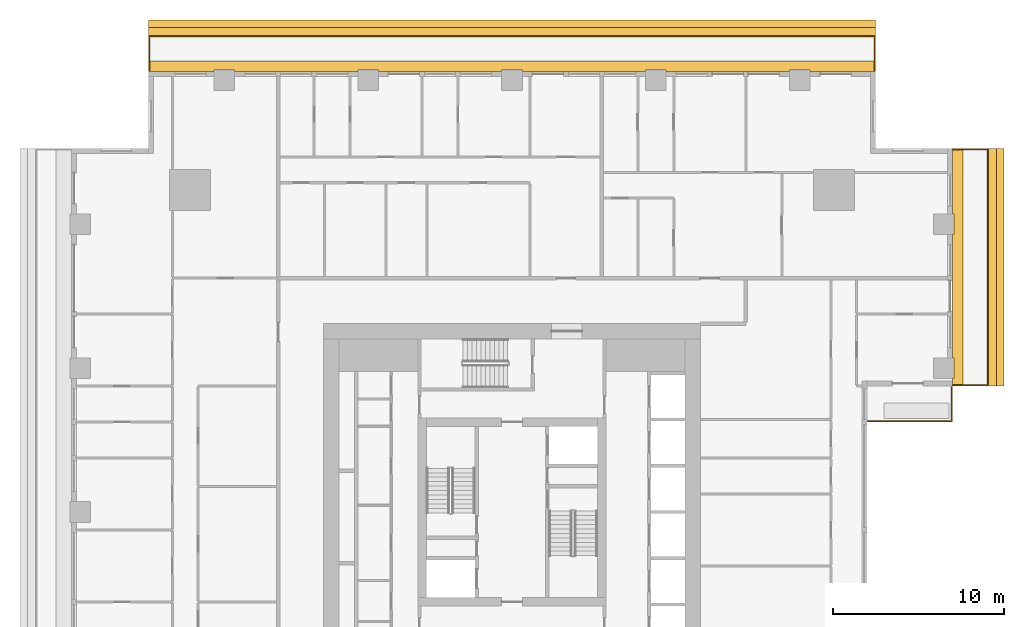
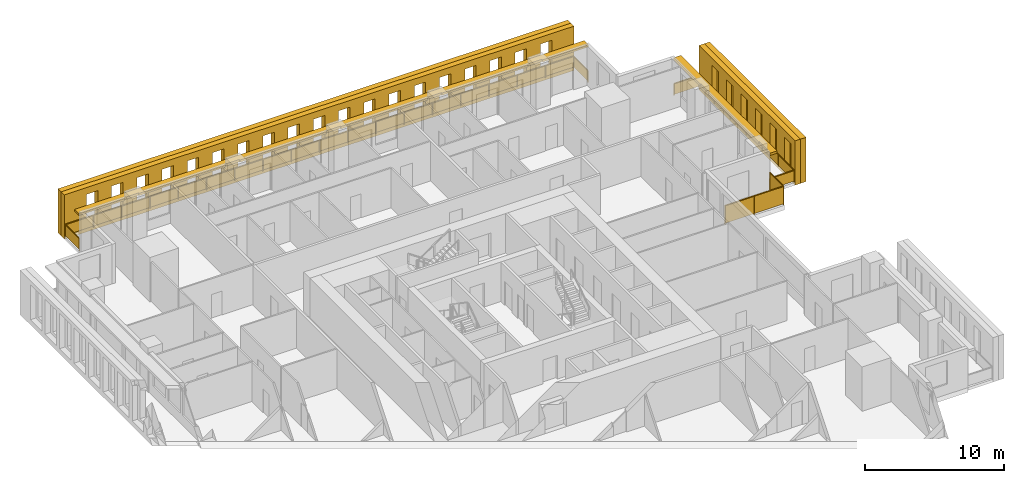
# One storey, part 16 of 16: 6 shading devices, 3 railings.
"""IFC4 building model written with IfcOpenShell, lengths in metres."""

from ifc_helpers import new_model, si_unit, direction, frame, origin, origin_2d, place, context, subcontext, project, spatial, polyline, rectangle, outline, extrude, material, layer, layer_set, type_object, element, save


model = new_model("IFC4")

# Units and contexts
model_context = context("Model", 3, precision=1e-05, world=origin(), true_north=direction((0.0, 1.0)))
body_context = subcontext(model_context, "Body", "Model", "MODEL_VIEW")
ifc_project = project(units=[si_unit("LENGTHUNIT", "METRE"), si_unit("AREAUNIT", "SQUARE_METRE"), si_unit("VOLUMEUNIT", "CUBIC_METRE"), si_unit("PLANEANGLEUNIT", "RADIAN"), si_unit("MASSUNIT", "GRAM", prefix="KILO")], contexts=[model_context])

# Site, building, storey
site_placement = place(None, origin())
site = spatial("IfcSite", under=ifc_project, at=site_placement, CompositionType="ELEMENT")
building_placement = place(site_placement, origin())
building = spatial("IfcBuilding", under=site, at=building_placement, Name="Khepri Terraces", CompositionType="ELEMENT")
storey_placement = place(building_placement, frame((0.0, 0.0, 204.0)))
storey = spatial("IfcBuildingStorey", under=building, at=storey_placement, Name="L48", CompositionType="ELEMENT", Elevation=204.0)

# Railings
ifc_material_1 = material(Name="Stainless steel grade 316", Category="steel")
railing_type_1 = type_object("IfcRailingType", Name="GRD-BAL-1100", PredefinedType="GUARDRAIL", material=ifc_material_1)
railing_1_placement = place(storey_placement, frame((25.719970703125, 7.39990234375, 0.0)))
element("IfcRailing", 1, at=railing_1_placement, inside=storey, type_object=railing_type_1, Name="Balcony guard L48 E", PredefinedType="GUARDRAIL", context=body_context, shape_type="SweptSolid", body=[
    extrude(rectangle(XDim=0.050048828125, YDim=0.06005859375, at=origin_2d()), frame((0.0, 0.0, 1.070068359375), z_axis=(1.0, 0.0, 0.0), x_axis=(0.0, 1.0, 0.0)), (0.0, 0.0, 1.0), 2.050048828125),
    extrude(rectangle(XDim=2.0, YDim=0.011962890625, at=origin_2d()), frame((1.02490234375, 0.0, 0.10009765625), z_axis=(0.0, 0.0, 1.0), x_axis=(1.0, 0.0, 0.0)), (0.0, 0.0, 1.0), 0.93994140625),
    extrude(rectangle(XDim=0.050048828125, YDim=0.06005859375, at=origin_2d()), frame((2.050048828125, 0.0, 1.070068359375), z_axis=(0.0, 1.0, 0.0), x_axis=(-1.0, 0.0, 0.0)), (0.0, 0.0, 1.0), 13.77001953125),
    extrude(rectangle(XDim=2.244873046875, YDim=0.011962890625, at=origin_2d()), frame((2.050048828125, 1.1474609375, 0.10009765625), z_axis=(0.0, 0.0, 1.0), x_axis=(0.0, 1.0, 0.0)), (0.0, 0.0, 1.0), 0.93994140625),
    extrude(rectangle(XDim=2.244873046875, YDim=0.011962890625, at=origin_2d()), frame((2.050048828125, 3.4423828125, 0.10009765625), z_axis=(0.0, 0.0, 1.0), x_axis=(0.0, 1.0, 0.0)), (0.0, 0.0, 1.0), 0.93994140625),
    extrude(rectangle(XDim=2.244873046875, YDim=0.011962890625, at=origin_2d()), frame((2.050048828125, 5.737548828125, 0.10009765625), z_axis=(0.0, 0.0, 1.0), x_axis=(0.0, 1.0, 0.0)), (0.0, 0.0, 1.0), 0.93994140625),
    extrude(rectangle(XDim=2.244873046875, YDim=0.011962890625, at=origin_2d()), frame((2.050048828125, 8.032470703125, 0.10009765625), z_axis=(0.0, 0.0, 1.0), x_axis=(0.0, 1.0, 0.0)), (0.0, 0.0, 1.0), 0.93994140625),
    extrude(rectangle(XDim=2.244873046875, YDim=0.011962890625, at=origin_2d()), frame((2.050048828125, 10.32763671875, 0.10009765625), z_axis=(0.0, 0.0, 1.0), x_axis=(0.0, 1.0, 0.0)), (0.0, 0.0, 1.0), 0.93994140625),
    extrude(rectangle(XDim=2.244873046875, YDim=0.011962890625, at=origin_2d()), frame((2.050048828125, 12.62255859375, 0.10009765625), z_axis=(0.0, 0.0, 1.0), x_axis=(0.0, 1.0, 0.0)), (0.0, 0.0, 1.0), 0.93994140625),
    extrude(rectangle(XDim=0.050048828125, YDim=0.06005859375, at=origin_2d()), frame((2.050048828125, 13.77001953125, 1.070068359375), z_axis=(-1.0, 0.0, 0.0), x_axis=(0.0, -1.0, 0.0)), (0.0, 0.0, 1.0), 2.050048828125),
    extrude(rectangle(XDim=2.0, YDim=0.011962890625, at=origin_2d()), frame((1.02490234375, 13.77001953125, 0.10009765625), z_axis=(0.0, 0.0, 1.0), x_axis=(-1.0, 0.0, 0.0)), (0.0, 0.0, 1.0), 0.93994140625),
    extrude(rectangle(XDim=0.050048828125, YDim=0.050048828125, at=origin_2d()), origin(), (0.0, 0.0, 1.0), 1.0400390625),
    extrude(rectangle(XDim=0.050048828125, YDim=0.050048828125, at=origin_2d()), frame((2.050048828125, 0.0, 0.0)), (0.0, 0.0, 1.0), 1.0400390625),
    extrude(rectangle(XDim=0.050048828125, YDim=0.050048828125, at=origin_2d()), frame((2.050048828125, 2.294921875, 0.0)), (0.0, 0.0, 1.0), 1.0400390625),
    extrude(rectangle(XDim=0.050048828125, YDim=0.050048828125, at=origin_2d()), frame((2.050048828125, 4.590087890625, 0.0)), (0.0, 0.0, 1.0), 1.0400390625),
    extrude(rectangle(XDim=0.050048828125, YDim=0.050048828125, at=origin_2d()), frame((2.050048828125, 6.885009765625, 0.0)), (0.0, 0.0, 1.0), 1.0400390625),
    extrude(rectangle(XDim=0.050048828125, YDim=0.050048828125, at=origin_2d()), frame((2.050048828125, 9.179931640625, 0.0)), (0.0, 0.0, 1.0), 1.0400390625),
    extrude(rectangle(XDim=0.050048828125, YDim=0.050048828125, at=origin_2d()), frame((2.050048828125, 11.47509765625, 0.0)), (0.0, 0.0, 1.0), 1.0400390625),
    extrude(rectangle(XDim=0.050048828125, YDim=0.050048828125, at=origin_2d()), frame((2.050048828125, 13.77001953125, 0.0)), (0.0, 0.0, 1.0), 1.0400390625),
    extrude(rectangle(XDim=0.050048828125, YDim=0.050048828125, at=origin_2d()), frame((0.0, 13.77001953125, 0.0)), (0.0, 0.0, 1.0), 1.0400390625),
])
railing_2_placement = place(storey_placement, frame((21.169921875, 25.719970703125, 0.0)))
element("IfcRailing", 2, at=railing_2_placement, inside=storey, type_object=railing_type_1, Name="Balcony guard L48 N", PredefinedType="GUARDRAIL", context=body_context, shape_type="SweptSolid", body=[
    extrude(rectangle(XDim=0.050048828125, YDim=0.06005859375, at=origin_2d()), frame((0.0, 0.0, 1.070068359375), z_axis=(0.0, 1.0, 0.0), x_axis=(-1.0, 0.0, 0.0)), (0.0, 0.0, 1.0), 2.050048828125),
    extrude(rectangle(XDim=2.0, YDim=0.011962890625, at=origin_2d()), frame((0.0, 1.02490234375, 0.10009765625), z_axis=(0.0, 0.0, 1.0), x_axis=(0.0, 1.0, 0.0)), (0.0, 0.0, 1.0), 0.93994140625),
    extrude(rectangle(XDim=0.050048828125, YDim=0.06005859375, at=origin_2d()), frame((0.0, 2.050048828125, 1.070068359375), z_axis=(-1.0, 0.0, 0.0), x_axis=(0.0, -1.0, 0.0)), (0.0, 0.0, 1.0), 42.33984375),
    extrude(rectangle(XDim=2.30224609375, YDim=0.011962890625, at=origin_2d()), frame((-1.176025390625, 2.050048828125, 0.10009765625), z_axis=(0.0, 0.0, 1.0), x_axis=(-1.0, 0.0, 0.0)), (0.0, 0.0, 1.0), 0.93994140625),
    extrude(rectangle(XDim=2.30224609375, YDim=0.011962890625, at=origin_2d()), frame((-3.5283203125, 2.050048828125, 0.10009765625), z_axis=(0.0, 0.0, 1.0), x_axis=(-1.0, 0.0, 0.0)), (0.0, 0.0, 1.0), 0.93994140625),
    extrude(rectangle(XDim=2.30224609375, YDim=0.011962890625, at=origin_2d()), frame((-5.880615234375, 2.050048828125, 0.10009765625), z_axis=(0.0, 0.0, 1.0), x_axis=(-1.0, 0.0, 0.0)), (0.0, 0.0, 1.0), 0.93994140625),
    extrude(rectangle(XDim=2.30224609375, YDim=0.011962890625, at=origin_2d()), frame((-8.232666015625, 2.050048828125, 0.10009765625), z_axis=(0.0, 0.0, 1.0), x_axis=(-1.0, 0.0, 0.0)), (0.0, 0.0, 1.0), 0.93994140625),
    extrude(rectangle(XDim=2.30224609375, YDim=0.011962890625, at=origin_2d()), frame((-10.5849609375, 2.050048828125, 0.10009765625), z_axis=(0.0, 0.0, 1.0), x_axis=(-1.0, 0.0, 0.0)), (0.0, 0.0, 1.0), 0.93994140625),
    extrude(rectangle(XDim=2.30224609375, YDim=0.011962890625, at=origin_2d()), frame((-12.937255859375, 2.050048828125, 0.10009765625), z_axis=(0.0, 0.0, 1.0), x_axis=(-1.0, 0.0, 0.0)), (0.0, 0.0, 1.0), 0.93994140625),
    extrude(rectangle(XDim=2.30224609375, YDim=0.011962890625, at=origin_2d()), frame((-15.289306640625, 2.050048828125, 0.10009765625), z_axis=(0.0, 0.0, 1.0), x_axis=(-1.0, 0.0, 0.0)), (0.0, 0.0, 1.0), 0.93994140625),
    extrude(rectangle(XDim=2.30224609375, YDim=0.011962890625, at=origin_2d()), frame((-17.6416015625, 2.050048828125, 0.10009765625), z_axis=(0.0, 0.0, 1.0), x_axis=(-1.0, 0.0, 0.0)), (0.0, 0.0, 1.0), 0.93994140625),
    extrude(rectangle(XDim=2.30224609375, YDim=0.011962890625, at=origin_2d()), frame((-19.993896484375, 2.050048828125, 0.10009765625), z_axis=(0.0, 0.0, 1.0), x_axis=(-1.0, 0.0, 0.0)), (0.0, 0.0, 1.0), 0.93994140625),
    extrude(rectangle(XDim=2.30224609375, YDim=0.011962890625, at=origin_2d()), frame((-22.345947265625, 2.050048828125, 0.10009765625), z_axis=(0.0, 0.0, 1.0), x_axis=(-1.0, 0.0, 0.0)), (0.0, 0.0, 1.0), 0.93994140625),
    extrude(rectangle(XDim=2.30224609375, YDim=0.011962890625, at=origin_2d()), frame((-24.6982421875, 2.050048828125, 0.10009765625), z_axis=(0.0, 0.0, 1.0), x_axis=(-1.0, 0.0, 0.0)), (0.0, 0.0, 1.0), 0.93994140625),
    extrude(rectangle(XDim=2.30224609375, YDim=0.011962890625, at=origin_2d()), frame((-27.050537109375, 2.050048828125, 0.10009765625), z_axis=(0.0, 0.0, 1.0), x_axis=(-1.0, 0.0, 0.0)), (0.0, 0.0, 1.0), 0.93994140625),
    extrude(rectangle(XDim=2.30224609375, YDim=0.011962890625, at=origin_2d()), frame((-29.402587890625, 2.050048828125, 0.10009765625), z_axis=(0.0, 0.0, 1.0), x_axis=(-1.0, 0.0, 0.0)), (0.0, 0.0, 1.0), 0.93994140625),
    extrude(rectangle(XDim=2.30224609375, YDim=0.011962890625, at=origin_2d()), frame((-31.7548828125, 2.050048828125, 0.10009765625), z_axis=(0.0, 0.0, 1.0), x_axis=(-1.0, 0.0, 0.0)), (0.0, 0.0, 1.0), 0.93994140625),
    extrude(rectangle(XDim=2.30224609375, YDim=0.011962890625, at=origin_2d()), frame((-34.107177734375, 2.050048828125, 0.10009765625), z_axis=(0.0, 0.0, 1.0), x_axis=(-1.0, 0.0, 0.0)), (0.0, 0.0, 1.0), 0.93994140625),
    extrude(rectangle(XDim=2.30224609375, YDim=0.011962890625, at=origin_2d()), frame((-36.459228515625, 2.050048828125, 0.10009765625), z_axis=(0.0, 0.0, 1.0), x_axis=(-1.0, 0.0, 0.0)), (0.0, 0.0, 1.0), 0.93994140625),
    extrude(rectangle(XDim=2.30224609375, YDim=0.011962890625, at=origin_2d()), frame((-38.8115234375, 2.050048828125, 0.10009765625), z_axis=(0.0, 0.0, 1.0), x_axis=(-1.0, 0.0, 0.0)), (0.0, 0.0, 1.0), 0.93994140625),
    extrude(rectangle(XDim=2.30224609375, YDim=0.011962890625, at=origin_2d()), frame((-41.163818359375, 2.050048828125, 0.10009765625), z_axis=(0.0, 0.0, 1.0), x_axis=(-1.0, 0.0, 0.0)), (0.0, 0.0, 1.0), 0.93994140625),
    extrude(rectangle(XDim=0.050048828125, YDim=0.06005859375, at=origin_2d()), frame((-42.33984375, 2.050048828125, 1.070068359375), z_axis=(0.0, -1.0, 0.0), x_axis=(1.0, 0.0, 0.0)), (0.0, 0.0, 1.0), 2.050048828125),
    extrude(rectangle(XDim=2.0, YDim=0.011962890625, at=origin_2d()), frame((-42.33984375, 1.02490234375, 0.10009765625), z_axis=(0.0, 0.0, 1.0), x_axis=(0.0, -1.0, 0.0)), (0.0, 0.0, 1.0), 0.93994140625),
    extrude(rectangle(XDim=0.050048828125, YDim=0.050048828125, at=origin_2d()), origin(), (0.0, 0.0, 1.0), 1.0400390625),
    extrude(rectangle(XDim=0.050048828125, YDim=0.050048828125, at=origin_2d()), frame((0.0, 2.050048828125, 0.0)), (0.0, 0.0, 1.0), 1.0400390625),
    extrude(rectangle(XDim=0.050048828125, YDim=0.050048828125, at=origin_2d()), frame((-2.352294921875, 2.050048828125, 0.0)), (0.0, 0.0, 1.0), 1.0400390625),
    extrude(rectangle(XDim=0.050048828125, YDim=0.050048828125, at=origin_2d()), frame((-4.704345703125, 2.050048828125, 0.0)), (0.0, 0.0, 1.0), 1.0400390625),
    extrude(rectangle(XDim=0.050048828125, YDim=0.050048828125, at=origin_2d()), frame((-7.056640625, 2.050048828125, 0.0)), (0.0, 0.0, 1.0), 1.0400390625),
    extrude(rectangle(XDim=0.050048828125, YDim=0.050048828125, at=origin_2d()), frame((-9.408935546875, 2.050048828125, 0.0)), (0.0, 0.0, 1.0), 1.0400390625),
    extrude(rectangle(XDim=0.050048828125, YDim=0.050048828125, at=origin_2d()), frame((-11.760986328125, 2.050048828125, 0.0)), (0.0, 0.0, 1.0), 1.0400390625),
    extrude(rectangle(XDim=0.050048828125, YDim=0.050048828125, at=origin_2d()), frame((-14.11328125, 2.050048828125, 0.0)), (0.0, 0.0, 1.0), 1.0400390625),
    extrude(rectangle(XDim=0.050048828125, YDim=0.050048828125, at=origin_2d()), frame((-16.465576171875, 2.050048828125, 0.0)), (0.0, 0.0, 1.0), 1.0400390625),
    extrude(rectangle(XDim=0.050048828125, YDim=0.050048828125, at=origin_2d()), frame((-18.817626953125, 2.050048828125, 0.0)), (0.0, 0.0, 1.0), 1.0400390625),
    extrude(rectangle(XDim=0.050048828125, YDim=0.050048828125, at=origin_2d()), frame((-21.169921875, 2.050048828125, 0.0)), (0.0, 0.0, 1.0), 1.0400390625),
    extrude(rectangle(XDim=0.050048828125, YDim=0.050048828125, at=origin_2d()), frame((-23.522216796875, 2.050048828125, 0.0)), (0.0, 0.0, 1.0), 1.0400390625),
    extrude(rectangle(XDim=0.050048828125, YDim=0.050048828125, at=origin_2d()), frame((-25.874267578125, 2.050048828125, 0.0)), (0.0, 0.0, 1.0), 1.0400390625),
    extrude(rectangle(XDim=0.050048828125, YDim=0.050048828125, at=origin_2d()), frame((-28.2265625, 2.050048828125, 0.0)), (0.0, 0.0, 1.0), 1.0400390625),
    extrude(rectangle(XDim=0.050048828125, YDim=0.050048828125, at=origin_2d()), frame((-30.578857421875, 2.050048828125, 0.0)), (0.0, 0.0, 1.0), 1.0400390625),
    extrude(rectangle(XDim=0.050048828125, YDim=0.050048828125, at=origin_2d()), frame((-32.930908203125, 2.050048828125, 0.0)), (0.0, 0.0, 1.0), 1.0400390625),
    extrude(rectangle(XDim=0.050048828125, YDim=0.050048828125, at=origin_2d()), frame((-35.283203125, 2.050048828125, 0.0)), (0.0, 0.0, 1.0), 1.0400390625),
    extrude(rectangle(XDim=0.050048828125, YDim=0.050048828125, at=origin_2d()), frame((-37.635498046875, 2.050048828125, 0.0)), (0.0, 0.0, 1.0), 1.0400390625),
    extrude(rectangle(XDim=0.050048828125, YDim=0.050048828125, at=origin_2d()), frame((-39.987548828125, 2.050048828125, 0.0)), (0.0, 0.0, 1.0), 1.0400390625),
    extrude(rectangle(XDim=0.050048828125, YDim=0.050048828125, at=origin_2d()), frame((-42.33984375, 2.050048828125, 0.0)), (0.0, 0.0, 1.0), 1.0400390625),
    extrude(rectangle(XDim=0.050048828125, YDim=0.050048828125, at=origin_2d()), frame((-42.33984375, 0.0, 0.0)), (0.0, 0.0, 1.0), 1.0400390625),
])
railing_type_2 = type_object("IfcRailingType", Name="GRD-TERR-1700", PredefinedType="GUARDRAIL", material=ifc_material_1)
railing_3_placement = place(storey_placement, frame((25.669921875, 7.280029296875, 0.0)))
element("IfcRailing", 3, at=railing_3_placement, inside=storey, type_object=railing_type_2, Name="Terrace guard L48", PredefinedType="GUARDRAIL", context=body_context, shape_type="SweptSolid", body=[
    extrude(rectangle(XDim=0.050048828125, YDim=0.06005859375, at=origin_2d()), frame((0.0, 0.0, 1.669921875), z_axis=(0.0, -1.0, 0.0), x_axis=(1.0, 0.0, 0.0)), (0.0, 0.0, 1.0), 1.97998046875),
    extrude(rectangle(XDim=1.929931640625, YDim=0.011962890625, at=origin_2d()), frame((0.0, -0.989990234375, 0.10009765625), z_axis=(0.0, 0.0, 1.0), x_axis=(0.0, -1.0, 0.0)), (0.0, 0.0, 1.0), 1.539794921875),
    extrude(rectangle(XDim=0.050048828125, YDim=0.06005859375, at=origin_2d()), frame((0.0, -1.97998046875, 1.669921875), z_axis=(-1.0, 0.0, 0.0), x_axis=(0.0, -1.0, 0.0)), (0.0, 0.0, 1.0), 4.8798828125),
    extrude(rectangle(XDim=2.389892578125, YDim=0.011962890625, at=origin_2d()), frame((-1.219970703125, -1.97998046875, 0.10009765625), z_axis=(0.0, 0.0, 1.0), x_axis=(-1.0, 0.0, 0.0)), (0.0, 0.0, 1.0), 1.539794921875),
    extrude(rectangle(XDim=2.389892578125, YDim=0.011962890625, at=origin_2d()), frame((-3.659912109375, -1.97998046875, 0.10009765625), z_axis=(0.0, 0.0, 1.0), x_axis=(-1.0, 0.0, 0.0)), (0.0, 0.0, 1.0), 1.539794921875),
    extrude(rectangle(XDim=0.050048828125, YDim=0.050048828125, at=origin_2d()), origin(), (0.0, 0.0, 1.0), 1.639892578125),
    extrude(rectangle(XDim=0.050048828125, YDim=0.050048828125, at=origin_2d()), frame((0.0, -1.97998046875, 0.0)), (0.0, 0.0, 1.0), 1.639892578125),
    extrude(rectangle(XDim=0.050048828125, YDim=0.050048828125, at=origin_2d()), frame((-2.43994140625, -1.97998046875, 0.0)), (0.0, 0.0, 1.0), 1.639892578125),
    extrude(rectangle(XDim=0.050048828125, YDim=0.050048828125, at=origin_2d()), frame((-4.8798828125, -1.97998046875, 0.0)), (0.0, 0.0, 1.0), 1.639892578125),
])

# Shading devices
ifc_material_2 = material(Name="Precast concrete C50/60 warm stone", Category="masonry")
shading_device_type_1 = type_object("IfcShadingDeviceType", Name="SCR-CELL-INNER-450", PredefinedType="USERDEFINED", material=ifc_material_2)
shading_device_1_placement = place(storey_placement, frame((27.820068359375, 7.35009765625, -0.25), z_axis=(1.0, 0.0, 0.0), x_axis=(0.0, 1.0, 0.0)))
element("IfcShadingDevice", 4, at=shading_device_1_placement, inside=storey, type_object=shading_device_type_1, Name="Cell screen L48 E in", ObjectType="SCREEN", PredefinedType="USERDEFINED", context=body_context, shape_type="SweptSolid", body=[
    extrude(outline(polyline([(0.0, 0.0), (13.8701171875, 0.0), (13.8701171875, 3.89990234375), (0.0, 3.89990234375), (0.0, 0.0)]), holes=[polyline([(0.577392578125, 0.699951171875), (1.5224609375, 0.699951171875), (1.5224609375, 3.300048828125), (0.577392578125, 3.300048828125), (0.577392578125, 0.699951171875)]), polyline([(2.677490234375, 0.699951171875), (3.62255859375, 0.699951171875), (3.62255859375, 3.300048828125), (2.677490234375, 3.300048828125), (2.677490234375, 0.699951171875)]), polyline([(4.777587890625, 0.699951171875), (5.722412109375, 0.699951171875), (5.722412109375, 3.300048828125), (4.777587890625, 3.300048828125), (4.777587890625, 0.699951171875)]), polyline([(6.87744140625, 0.699951171875), (7.822509765625, 0.699951171875), (7.822509765625, 3.300048828125), (6.87744140625, 3.300048828125), (6.87744140625, 0.699951171875)]), polyline([(8.9775390625, 0.699951171875), (9.922607421875, 0.699951171875), (9.922607421875, 3.300048828125), (8.9775390625, 3.300048828125), (8.9775390625, 0.699951171875)]), polyline([(11.077392578125, 0.699951171875), (12.0224609375, 0.699951171875), (12.0224609375, 3.300048828125), (11.077392578125, 3.300048828125), (11.077392578125, 0.699951171875)])]), origin(), (0.0, 0.0, 1.0), 0.449951171875),
])
shading_device_2_placement = place(storey_placement, frame((21.219970703125, 27.820068359375, -0.25), z_axis=(0.0, 1.0, 0.0), x_axis=(-1.0, 0.0, 0.0)))
element("IfcShadingDevice", 5, at=shading_device_2_placement, inside=storey, type_object=shading_device_type_1, Name="Cell screen L48 N in", ObjectType="SCREEN", PredefinedType="USERDEFINED", context=body_context, shape_type="SweptSolid", body=[
    extrude(outline(polyline([(0.0, 0.0), (42.43994140625, 0.0), (42.43994140625, 3.89990234375), (0.0, 3.89990234375), (0.0, 0.0)]), holes=[polyline([(1.847412109375, 0.699951171875), (2.79248046875, 0.699951171875), (2.79248046875, 3.300048828125), (1.847412109375, 3.300048828125), (1.847412109375, 0.699951171875)]), polyline([(3.947509765625, 0.699951171875), (4.892578125, 0.699951171875), (4.892578125, 3.300048828125), (3.947509765625, 3.300048828125), (3.947509765625, 0.699951171875)]), polyline([(6.047607421875, 0.699951171875), (6.992431640625, 0.699951171875), (6.992431640625, 3.300048828125), (6.047607421875, 3.300048828125), (6.047607421875, 0.699951171875)]), polyline([(8.1474609375, 0.699951171875), (9.092529296875, 0.699951171875), (9.092529296875, 3.300048828125), (8.1474609375, 3.300048828125), (8.1474609375, 0.699951171875)]), polyline([(10.24755859375, 0.699951171875), (11.1923828125, 0.699951171875), (11.1923828125, 3.300048828125), (10.24755859375, 3.300048828125), (10.24755859375, 0.699951171875)]), polyline([(12.347412109375, 0.699951171875), (13.29248046875, 0.699951171875), (13.29248046875, 3.300048828125), (12.347412109375, 3.300048828125), (12.347412109375, 0.699951171875)]), polyline([(14.447509765625, 0.699951171875), (15.392578125, 0.699951171875), (15.392578125, 3.300048828125), (14.447509765625, 3.300048828125), (14.447509765625, 0.699951171875)]), polyline([(16.547607421875, 0.699951171875), (17.492431640625, 0.699951171875), (17.492431640625, 3.300048828125), (16.547607421875, 3.300048828125), (16.547607421875, 0.699951171875)]), polyline([(18.6474609375, 0.699951171875), (19.592529296875, 0.699951171875), (19.592529296875, 3.300048828125), (18.6474609375, 3.300048828125), (18.6474609375, 0.699951171875)]), polyline([(20.74755859375, 0.699951171875), (21.6923828125, 0.699951171875), (21.6923828125, 3.300048828125), (20.74755859375, 3.300048828125), (20.74755859375, 0.699951171875)]), polyline([(22.847412109375, 0.699951171875), (23.79248046875, 0.699951171875), (23.79248046875, 3.300048828125), (22.847412109375, 3.300048828125), (22.847412109375, 0.699951171875)]), polyline([(24.947509765625, 0.699951171875), (25.892578125, 0.699951171875), (25.892578125, 3.300048828125), (24.947509765625, 3.300048828125), (24.947509765625, 0.699951171875)]), polyline([(27.047607421875, 0.699951171875), (27.992431640625, 0.699951171875), (27.992431640625, 3.300048828125), (27.047607421875, 3.300048828125), (27.047607421875, 0.699951171875)]), polyline([(29.1474609375, 0.699951171875), (30.092529296875, 0.699951171875), (30.092529296875, 3.300048828125), (29.1474609375, 3.300048828125), (29.1474609375, 0.699951171875)]), polyline([(31.24755859375, 0.699951171875), (32.1923828125, 0.699951171875), (32.1923828125, 3.300048828125), (31.24755859375, 3.300048828125), (31.24755859375, 0.699951171875)]), polyline([(33.347412109375, 0.699951171875), (34.29248046875, 0.699951171875), (34.29248046875, 3.300048828125), (33.347412109375, 3.300048828125), (33.347412109375, 0.699951171875)]), polyline([(35.447509765625, 0.699951171875), (36.392578125, 0.699951171875), (36.392578125, 3.300048828125), (35.447509765625, 3.300048828125), (35.447509765625, 0.699951171875)]), polyline([(37.547607421875, 0.699951171875), (38.492431640625, 0.699951171875), (38.492431640625, 3.300048828125), (37.547607421875, 3.300048828125), (37.547607421875, 0.699951171875)]), polyline([(39.6474609375, 0.699951171875), (40.592529296875, 0.699951171875), (40.592529296875, 3.300048828125), (39.6474609375, 3.300048828125), (39.6474609375, 0.699951171875)])]), origin(), (0.0, 0.0, 1.0), 0.449951171875),
])
shading_device_type_2 = type_object("IfcShadingDeviceType", Name="SCR-CELL-OUTER-450", PredefinedType="USERDEFINED", material=ifc_material_2)
shading_device_3_placement = place(storey_placement, frame((28.27001953125, 7.35009765625, -0.25), z_axis=(1.0, 0.0, 0.0), x_axis=(0.0, 1.0, 0.0)))
element("IfcShadingDevice", 6, at=shading_device_3_placement, inside=storey, type_object=shading_device_type_2, Name="Cell screen L48 E out", ObjectType="SCREEN", PredefinedType="USERDEFINED", context=body_context, shape_type="SweptSolid", body=[
    extrude(outline(polyline([(0.0, 0.0), (13.8701171875, 0.0), (13.8701171875, 3.89990234375), (0.0, 3.89990234375), (0.0, 0.0)]), holes=[polyline([(0.2275390625, 0.449951171875), (1.87255859375, 0.449951171875), (1.87255859375, 3.550048828125), (0.2275390625, 3.550048828125), (0.2275390625, 0.449951171875)]), polyline([(2.327392578125, 0.449951171875), (3.972412109375, 0.449951171875), (3.972412109375, 3.550048828125), (2.327392578125, 3.550048828125), (2.327392578125, 0.449951171875)]), polyline([(4.427490234375, 0.449951171875), (6.072509765625, 0.449951171875), (6.072509765625, 3.550048828125), (4.427490234375, 3.550048828125), (4.427490234375, 0.449951171875)]), polyline([(6.527587890625, 0.449951171875), (8.172607421875, 0.449951171875), (8.172607421875, 3.550048828125), (6.527587890625, 3.550048828125), (6.527587890625, 0.449951171875)]), polyline([(8.62744140625, 0.449951171875), (10.2724609375, 0.449951171875), (10.2724609375, 3.550048828125), (8.62744140625, 3.550048828125), (8.62744140625, 0.449951171875)]), polyline([(10.7275390625, 0.449951171875), (12.37255859375, 0.449951171875), (12.37255859375, 3.550048828125), (10.7275390625, 3.550048828125), (10.7275390625, 0.449951171875)])]), origin(), (0.0, 0.0, 1.0), 0.449951171875),
])
shading_device_4_placement = place(storey_placement, frame((21.219970703125, 28.27001953125, -0.25), z_axis=(0.0, 1.0, 0.0), x_axis=(-1.0, 0.0, 0.0)))
element("IfcShadingDevice", 7, at=shading_device_4_placement, inside=storey, type_object=shading_device_type_2, Name="Cell screen L48 N out", ObjectType="SCREEN", PredefinedType="USERDEFINED", context=body_context, shape_type="SweptSolid", body=[
    extrude(outline(polyline([(0.0, 0.0), (42.43994140625, 0.0), (42.43994140625, 3.89990234375), (0.0, 3.89990234375), (0.0, 0.0)]), holes=[polyline([(1.49755859375, 0.449951171875), (3.142578125, 0.449951171875), (3.142578125, 3.550048828125), (1.49755859375, 3.550048828125), (1.49755859375, 0.449951171875)]), polyline([(3.597412109375, 0.449951171875), (5.242431640625, 0.449951171875), (5.242431640625, 3.550048828125), (3.597412109375, 3.550048828125), (3.597412109375, 0.449951171875)]), polyline([(5.697509765625, 0.449951171875), (7.342529296875, 0.449951171875), (7.342529296875, 3.550048828125), (5.697509765625, 3.550048828125), (5.697509765625, 0.449951171875)]), polyline([(7.797607421875, 0.449951171875), (9.4423828125, 0.449951171875), (9.4423828125, 3.550048828125), (7.797607421875, 3.550048828125), (7.797607421875, 0.449951171875)]), polyline([(9.8974609375, 0.449951171875), (11.54248046875, 0.449951171875), (11.54248046875, 3.550048828125), (9.8974609375, 3.550048828125), (9.8974609375, 0.449951171875)]), polyline([(11.99755859375, 0.449951171875), (13.642578125, 0.449951171875), (13.642578125, 3.550048828125), (11.99755859375, 3.550048828125), (11.99755859375, 0.449951171875)]), polyline([(14.097412109375, 0.449951171875), (15.742431640625, 0.449951171875), (15.742431640625, 3.550048828125), (14.097412109375, 3.550048828125), (14.097412109375, 0.449951171875)]), polyline([(16.197509765625, 0.449951171875), (17.842529296875, 0.449951171875), (17.842529296875, 3.550048828125), (16.197509765625, 3.550048828125), (16.197509765625, 0.449951171875)]), polyline([(18.297607421875, 0.449951171875), (19.9423828125, 0.449951171875), (19.9423828125, 3.550048828125), (18.297607421875, 3.550048828125), (18.297607421875, 0.449951171875)]), polyline([(20.3974609375, 0.449951171875), (22.04248046875, 0.449951171875), (22.04248046875, 3.550048828125), (20.3974609375, 3.550048828125), (20.3974609375, 0.449951171875)]), polyline([(22.49755859375, 0.449951171875), (24.142578125, 0.449951171875), (24.142578125, 3.550048828125), (22.49755859375, 3.550048828125), (22.49755859375, 0.449951171875)]), polyline([(24.597412109375, 0.449951171875), (26.242431640625, 0.449951171875), (26.242431640625, 3.550048828125), (24.597412109375, 3.550048828125), (24.597412109375, 0.449951171875)]), polyline([(26.697509765625, 0.449951171875), (28.342529296875, 0.449951171875), (28.342529296875, 3.550048828125), (26.697509765625, 3.550048828125), (26.697509765625, 0.449951171875)]), polyline([(28.797607421875, 0.449951171875), (30.4423828125, 0.449951171875), (30.4423828125, 3.550048828125), (28.797607421875, 3.550048828125), (28.797607421875, 0.449951171875)]), polyline([(30.8974609375, 0.449951171875), (32.54248046875, 0.449951171875), (32.54248046875, 3.550048828125), (30.8974609375, 3.550048828125), (30.8974609375, 0.449951171875)]), polyline([(32.99755859375, 0.449951171875), (34.642578125, 0.449951171875), (34.642578125, 3.550048828125), (32.99755859375, 3.550048828125), (32.99755859375, 0.449951171875)]), polyline([(35.097412109375, 0.449951171875), (36.742431640625, 0.449951171875), (36.742431640625, 3.550048828125), (35.097412109375, 3.550048828125), (35.097412109375, 0.449951171875)]), polyline([(37.197509765625, 0.449951171875), (38.842529296875, 0.449951171875), (38.842529296875, 3.550048828125), (37.197509765625, 3.550048828125), (37.197509765625, 0.449951171875)]), polyline([(39.297607421875, 0.449951171875), (40.9423828125, 0.449951171875), (40.9423828125, 3.550048828125), (39.297607421875, 3.550048828125), (39.297607421875, 0.449951171875)])]), origin(), (0.0, 0.0, 1.0), 0.449951171875),
])
ifc_layer = layer(ifc_material_2, 0.199951171875, Name="Precast concrete C50/60 warm stone", Category="masonry")
ifc_layer_set = layer_set([ifc_layer], Name="Precast concrete C50/60 warm stone")
shading_device_type_3 = type_object("IfcShadingDeviceType", Name="SSH-BAND-STONE-200-N", PredefinedType="USERDEFINED", material=ifc_layer_set)
shading_device_5_placement = place(storey_placement, frame((0.0, 0.0, 3.10009765625)))
element("IfcShadingDevice", 8, at=shading_device_5_placement, inside=storey, type_object=shading_device_type_3, Name="Sunshade band L48 E", ObjectType="SUNSHADE", PredefinedType="USERDEFINED", context=body_context, shape_type="SweptSolid", body=[
    extrude(outline(polyline([(25.719970703125, 7.800048828125), (25.719970703125, 7.35009765625), (26.320068359375, 7.35009765625), (26.320068359375, 21.219970703125), (25.719970703125, 21.219970703125), (25.719970703125, 17.39990234375), (25.800048828125, 17.39990234375), (25.800048828125, 16.199951171875), (25.719970703125, 16.199951171875), (25.719970703125, 9.0), (25.800048828125, 9.0), (25.800048828125, 7.800048828125), (25.719970703125, 7.800048828125)])), origin(), (0.0, 0.0, 1.0), 0.199951171875),
])
shading_device_6_placement = place(storey_placement, frame((0.0, 0.0, 3.10009765625)))
element("IfcShadingDevice", 9, at=shading_device_6_placement, inside=storey, type_object=shading_device_type_3, Name="Sunshade band L48 N", ObjectType="SUNSHADE", PredefinedType="USERDEFINED", context=body_context, shape_type="SweptSolid", body=[
    extrude(outline(polyline([(17.39990234375, 25.719970703125), (21.219970703125, 25.719970703125), (21.219970703125, 26.320068359375), (-21.219970703125, 26.320068359375), (-21.219970703125, 25.719970703125), (-17.39990234375, 25.719970703125), (-17.39990234375, 25.800048828125), (-16.199951171875, 25.800048828125), (-16.199951171875, 25.719970703125), (-9.0, 25.719970703125), (-9.0, 25.800048828125), (-7.800048828125, 25.800048828125), (-7.800048828125, 25.719970703125), (-0.60009765625, 25.719970703125), (-0.60009765625, 25.800048828125), (0.60009765625, 25.800048828125), (0.60009765625, 25.719970703125), (7.800048828125, 25.719970703125), (7.800048828125, 25.800048828125), (9.0, 25.800048828125), (9.0, 25.719970703125), (16.199951171875, 25.719970703125), (16.199951171875, 25.800048828125), (17.39990234375, 25.800048828125), (17.39990234375, 25.719970703125)])), origin(), (0.0, 0.0, 1.0), 0.199951171875),
])

save(model, "model.ifc")
